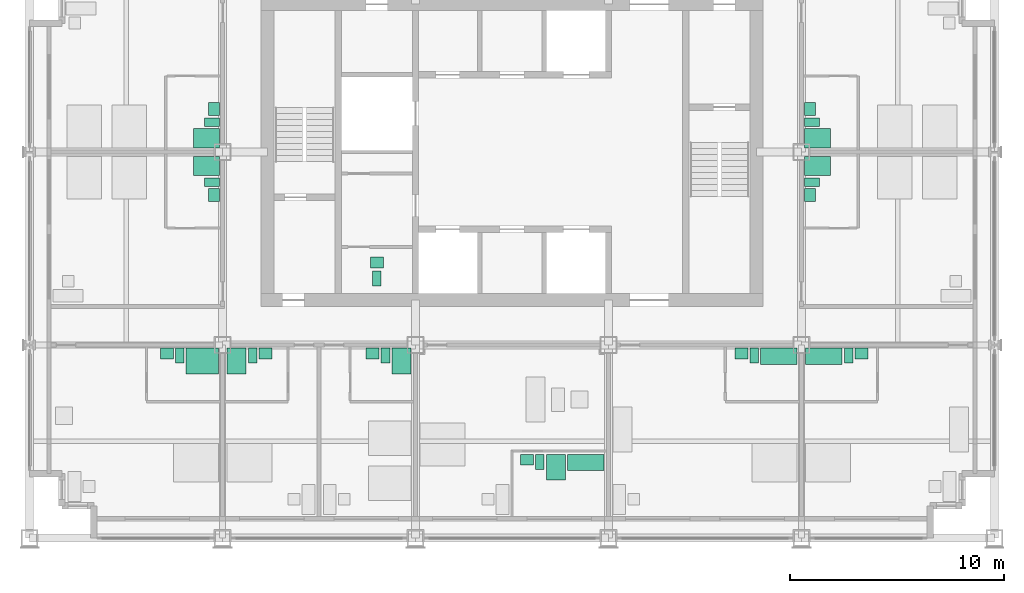
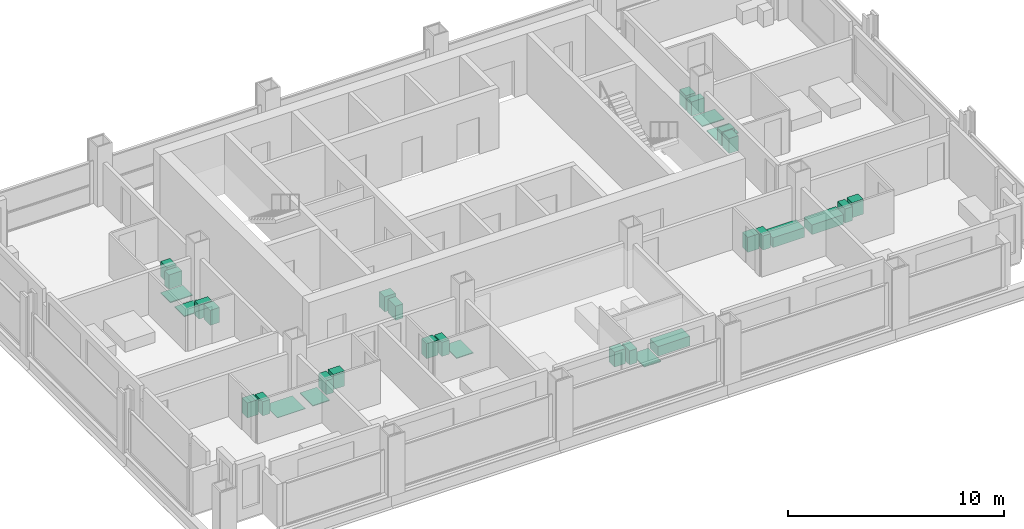
# One storey, part 12 of 13: 33 sanitary terminals.
"""IFC4 building model written with IfcOpenShell, lengths in metres."""

import ifcopenshell
import ifcopenshell.guid

model = None  # the IFC model being written
_history = None  # IfcOwnerHistory: only IFC2X3 demands one
_inside = {}  # id of a spatial element -> (the spatial element, [elements in it])
_under = {}  # id of a project, library or spatial element -> (it, [spatial elements below it])
_declared = {}  # id of a project -> (the project, [libraries it declares])
_typed = {}  # id of a type object -> (the type object, [elements of that type])
_made_of = {}  # id of a material, layer set ... -> (it, [elements and type objects made of it])


def new_model(schema):
    """Start an empty IFC model of exactly this schema.

    Asked for "IFC4X3", IfcOpenShell would pick the latest addendum, in which some entities
    have other attributes; the version numbers below select the first issue.
    IFC2X3 requires an IfcOwnerHistory on every rooted entity: one is made here for all.
    """
    global model, _history
    if schema == "IFC4X3":
        model = ifcopenshell.file(schema_version=(4, 3, 0, 0))
    else:
        model = ifcopenshell.file(schema=schema)
    _inside.clear()
    _under.clear()
    _declared.clear()
    _typed.clear()
    _made_of.clear()
    _history = None
    if model.schema == "IFC2X3":
        org = make("IfcOrganization", Name="unknown")
        user = make(
            "IfcPersonAndOrganization",
            ThePerson=make("IfcPerson", FamilyName="unknown"),
            TheOrganization=org,
        )
        app = make(
            "IfcApplication",
            ApplicationDeveloper=org,
            Version="unknown",
            ApplicationFullName="unknown",
            ApplicationIdentifier="unknown",
        )
        _history = make(
            "IfcOwnerHistory",
            OwningUser=user,
            OwningApplication=app,
            ChangeAction="ADDED",
            CreationDate=0,
        )
    return model


def make(cls, **values):
    """One entity of the class cls with the attributes given. An attribute that is None is left unset."""
    return model.create_entity(
        cls, **{name: value for name, value in values.items() if value is not None}
    )


def rooted(cls, **values):
    """An entity with a GlobalId (a new one), such as an element, a storey or a relation."""
    return make(cls, GlobalId=ifcopenshell.guid.new(), OwnerHistory=_history, **values)


def si_unit(unit_type, name, prefix=None):
    """IfcSIUnit, for example si_unit("LENGTHUNIT", "METRE", prefix="MILLI")."""
    return make("IfcSIUnit", UnitType=unit_type, Prefix=prefix, Name=name)


def assignment(units):
    """IfcUnitAssignment: the units of a project."""
    return None if units is None else make("IfcUnitAssignment", Units=units)


def point(xyz):
    """IfcCartesianPoint."""
    return None if xyz is None else make("IfcCartesianPoint", Coordinates=xyz)


def direction(xyz):
    """IfcDirection."""
    return None if xyz is None else make("IfcDirection", DirectionRatios=xyz)


def frame(location, z_axis=None, x_axis=None):
    """IfcAxis2Placement3D, a coordinate frame: its origin and axes. An axis left out is left unset."""
    return make(
        "IfcAxis2Placement3D",
        Location=point(location),
        Axis=direction(z_axis),
        RefDirection=direction(x_axis),
    )


def frame_2d(location, x_axis=None):
    """IfcAxis2Placement2D, a coordinate frame in the plane: its origin and x axis."""
    return make(
        "IfcAxis2Placement2D", Location=point(location), RefDirection=direction(x_axis)
    )


def origin():
    """The frame at (0, 0, 0) with its axes left unset."""
    return frame((0.0, 0.0, 0.0))


def origin_2d():
    """The frame at (0, 0) in the plane with its x axis left unset."""
    return frame_2d((0.0, 0.0))


def place(relative_to, where):
    """IfcLocalPlacement: puts the frame where relative to a parent placement (None: the world)."""
    return make(
        "IfcLocalPlacement", PlacementRelTo=relative_to, RelativePlacement=where
    )


def context(
    kind, dimensions, precision=None, world=None, true_north=None, identifier=None
):
    """IfcGeometricRepresentationContext, for example the 3D "Model" context."""
    return make(
        "IfcGeometricRepresentationContext",
        ContextIdentifier=identifier,
        ContextType=kind,
        CoordinateSpaceDimension=dimensions,
        Precision=precision,
        WorldCoordinateSystem=world,
        TrueNorth=true_north,
    )


def subcontext(parent, identifier, kind, view, scale=None):
    """IfcGeometricRepresentationSubContext, for example "Body" below "Model"."""
    return make(
        "IfcGeometricRepresentationSubContext",
        ContextIdentifier=identifier,
        ContextType=kind,
        ParentContext=parent,
        TargetScale=scale,
        TargetView=view,
    )


def project(units=None, contexts=None):
    """IfcProject with its units and contexts."""
    return rooted(
        "IfcProject",
        Name="project",
        RepresentationContexts=contexts,
        UnitsInContext=assignment(units),
    )


def spatial(cls, under=None, at=None, **own):
    """A site, building, storey or space (cls), placed at a placement, below another one or the project."""
    s = rooted(cls, ObjectPlacement=at, **own)
    if under is not None:
        _under.setdefault(under.id(), (under, []))[1].append(s)
    return s


def profile(cls, at=None, kind="AREA", **sizes):
    """A parametric profile (cls). Its sizes go by their IFC names, for example OverallWidth=200.0."""
    return make(cls, ProfileType=kind, Position=at, **sizes)


def rectangle(**sizes):
    """IfcRectangleProfileDef."""
    return profile("IfcRectangleProfileDef", **sizes)


def extrude(swept, where, along, depth):
    """IfcExtrudedAreaSolid: the profile swept, set in the frame where, extruded along a direction by depth."""
    return make(
        "IfcExtrudedAreaSolid",
        SweptArea=swept,
        Position=where,
        ExtrudedDirection=direction(along),
        Depth=depth,
    )


def shape(context_of_items, identifier, shape_type, items):
    """IfcShapeRepresentation: the items that make up one representation, for example the "Body"."""
    return make(
        "IfcShapeRepresentation",
        ContextOfItems=context_of_items,
        RepresentationIdentifier=identifier,
        RepresentationType=shape_type,
        Items=items,
    )


def made_of(thing, what):
    """Note that an element or type object is made of a material, layer set ...; save() writes the relation."""
    if what is not None:
        _made_of.setdefault(what.id(), (what, []))[1].append(thing)
    return thing


def element(
    cls,
    number,
    at=None,
    inside=None,
    cuts=None,
    type_object=None,
    material=None,
    context=None,
    identifier="Body",
    shape_type=None,
    held_by="IfcProductDefinitionShape",
    body=None,
    shapes=None,
    **own,
):
    """One element of the class cls, such as IfcWall. Its Tag is "e" and its number.

    at: its placement. inside: the storey or other place that contains it. cuts: it is an
    opening in that element (IfcRelVoidsElement). A single representation is given by context,
    identifier, shape_type and body (its items); several are given by shapes. held_by: the class
    of the entity that holds the representations. save() writes the other relations.
    """
    e = rooted(cls, Tag="e%d" % number, ObjectPlacement=at, **own)
    if body is not None:
        shapes = [shape(context, identifier, shape_type, body)]
    if shapes is not None:
        e.Representation = make(held_by, Representations=shapes)
    if inside is not None:
        _inside.setdefault(inside.id(), (inside, []))[1].append(e)
    if cuts is not None:
        rooted(
            "IfcRelVoidsElement", RelatingBuildingElement=cuts, RelatedOpeningElement=e
        )
    if type_object is not None:
        _typed.setdefault(type_object.id(), (type_object, []))[1].append(e)
    return made_of(e, material)


def aggregate(whole, parts):
    """IfcRelAggregates: a whole, such as a stair, and the parts it consists of."""
    return rooted("IfcRelAggregates", RelatingObject=whole, RelatedObjects=parts)


def save(model, path):
    """Write the relations noted so far, then the file.

    IfcRelAggregates (storeys below a building ...), IfcRelContainedInSpatialStructure (elements
    in a storey), IfcRelDefinesByType, IfcRelAssociatesMaterial and IfcRelDeclares: one each for
    every whole, place, type object, material and project.
    """
    for whole, parts in _under.values():
        aggregate(whole, parts)
    for where, things in _inside.values():
        rooted(
            "IfcRelContainedInSpatialStructure",
            RelatedElements=things,
            RelatingStructure=where,
        )
    for kind, things in _typed.values():
        rooted("IfcRelDefinesByType", RelatedObjects=things, RelatingType=kind)
    for what, things in _made_of.values():
        rooted("IfcRelAssociatesMaterial", RelatedObjects=things, RelatingMaterial=what)
    for by, libraries in _declared.values():
        rooted("IfcRelDeclares", RelatingContext=by, RelatedDefinitions=libraries)
    model.write(path)


model = new_model("IFC4")

# Units and contexts
model_context = context("Model", 3, precision=1e-05, world=origin(), true_north=direction((0.0, 1.0)))
body_context = subcontext(model_context, "Body", "Model", "MODEL_VIEW")
ifc_project = project(units=[si_unit("LENGTHUNIT", "METRE"), si_unit("AREAUNIT", "SQUARE_METRE"), si_unit("VOLUMEUNIT", "CUBIC_METRE"), si_unit("PLANEANGLEUNIT", "RADIAN"), si_unit("MASSUNIT", "GRAM", prefix="KILO")], contexts=[model_context])

# Site, building, storey
site_placement = place(None, origin())
site = spatial("IfcSite", under=ifc_project, at=site_placement, CompositionType="ELEMENT")
building_placement = place(site_placement, origin())
building = spatial("IfcBuilding", under=site, at=building_placement, Name="Loomwork Tower", CompositionType="ELEMENT")
storey_placement = place(building_placement, frame((0.0, 0.0, 184.199951171875)))
storey = spatial("IfcBuildingStorey", under=building, at=storey_placement, Name="L50", CompositionType="ELEMENT", Elevation=184.199951171875)

# Sanitary terminals
sanitary_terminal_1_placement = place(storey_placement, frame((8.050048828125, 8.25, 0.0), z_axis=(0.0, 0.0, 1.0), x_axis=(1.0, 0.0, 0.0)))
element("IfcSanitaryTerminal", 1, at=sanitary_terminal_1_placement, inside=storey, Name="Roll-in shower floor L50", PredefinedType="SHOWER", context=body_context, shape_type="SweptSolid", body=[
    extrude(rectangle(XDim=1.5, YDim=1.199951171875, at=origin_2d()), origin(), (0.0, 0.0, 1.0), 0.030029296875),
])
sanitary_terminal_2_placement = place(storey_placement, frame((7.0, 8.5, 0.0), z_axis=(0.0, 0.0, 1.0), x_axis=(1.0, 0.0, 0.0)))
element("IfcSanitaryTerminal", 2, at=sanitary_terminal_2_placement, inside=storey, Name="WC L50", PredefinedType="TOILETPAN", context=body_context, shape_type="SweptSolid", body=[
    extrude(rectangle(XDim=0.39990234375, YDim=0.699951171875, at=origin_2d()), origin(), (0.0, 0.0, 1.0), 0.800048828125),
])
sanitary_terminal_3_placement = place(storey_placement, frame((6.39990234375, 8.60009765625, 0.0), z_axis=(0.0, 0.0, 1.0), x_axis=(1.0, 0.0, 0.0)))
element("IfcSanitaryTerminal", 3, at=sanitary_terminal_3_placement, inside=storey, Name="Basin vanity L50", PredefinedType="WASHHANDBASIN", context=body_context, shape_type="SweptSolid", body=[
    extrude(rectangle(XDim=0.60009765625, YDim=0.5, at=origin_2d()), origin(), (0.0, 0.0, 1.0), 0.85009765625),
])
sanitary_terminal_4_placement = place(storey_placement, frame((9.64990234375, 8.25, 0.0), z_axis=(0.0, 0.0, 1.0), x_axis=(1.0, 0.0, 0.0)))
element("IfcSanitaryTerminal", 4, at=sanitary_terminal_4_placement, inside=storey, Name="Shower tray L50", PredefinedType="SHOWER", context=body_context, shape_type="SweptSolid", body=[
    extrude(rectangle(XDim=0.89990234375, YDim=1.199951171875, at=origin_2d()), origin(), (0.0, 0.0, 1.0), 0.050048828125),
])
sanitary_terminal_5_placement = place(storey_placement, frame((10.39990234375, 8.5, 0.0), z_axis=(0.0, 0.0, 1.0), x_axis=(1.0, 0.0, 0.0)))
element("IfcSanitaryTerminal", 5, at=sanitary_terminal_5_placement, inside=storey, Name="WC L50", PredefinedType="TOILETPAN", context=body_context, shape_type="SweptSolid", body=[
    extrude(rectangle(XDim=0.39990234375, YDim=0.699951171875, at=origin_2d()), origin(), (0.0, 0.0, 1.0), 0.800048828125),
])
sanitary_terminal_6_placement = place(storey_placement, frame((11.0, 8.60009765625, 0.0), z_axis=(0.0, 0.0, 1.0), x_axis=(1.0, 0.0, 0.0)))
element("IfcSanitaryTerminal", 6, at=sanitary_terminal_6_placement, inside=storey, Name="Basin vanity L50", PredefinedType="WASHHANDBASIN", context=body_context, shape_type="SweptSolid", body=[
    extrude(rectangle(XDim=0.60009765625, YDim=0.5, at=origin_2d()), origin(), (0.0, 0.0, 1.0), 0.85009765625),
])
sanitary_terminal_7_placement = place(storey_placement, frame((17.35009765625, 8.25, 0.0), z_axis=(0.0, 0.0, 1.0), x_axis=(1.0, 0.0, 0.0)))
element("IfcSanitaryTerminal", 7, at=sanitary_terminal_7_placement, inside=storey, Name="Shower tray L50", PredefinedType="SHOWER", context=body_context, shape_type="SweptSolid", body=[
    extrude(rectangle(XDim=0.89990234375, YDim=1.199951171875, at=origin_2d()), origin(), (0.0, 0.0, 1.0), 0.050048828125),
])
sanitary_terminal_8_placement = place(storey_placement, frame((16.60009765625, 8.5, 0.0), z_axis=(0.0, 0.0, 1.0), x_axis=(1.0, 0.0, 0.0)))
element("IfcSanitaryTerminal", 8, at=sanitary_terminal_8_placement, inside=storey, Name="WC L50", PredefinedType="TOILETPAN", context=body_context, shape_type="SweptSolid", body=[
    extrude(rectangle(XDim=0.39990234375, YDim=0.699951171875, at=origin_2d()), origin(), (0.0, 0.0, 1.0), 0.800048828125),
])
sanitary_terminal_9_placement = place(storey_placement, frame((16.0, 8.60009765625, 0.0), z_axis=(0.0, 0.0, 1.0), x_axis=(1.0, 0.0, 0.0)))
element("IfcSanitaryTerminal", 9, at=sanitary_terminal_9_placement, inside=storey, Name="Basin vanity L50", PredefinedType="WASHHANDBASIN", context=body_context, shape_type="SweptSolid", body=[
    extrude(rectangle(XDim=0.60009765625, YDim=0.5, at=origin_2d()), origin(), (0.0, 0.0, 1.0), 0.85009765625),
])
sanitary_terminal_10_placement = place(storey_placement, frame((25.949951171875, 3.52490234375, 0.0), z_axis=(0.0, 0.0, 1.0), x_axis=(1.0, 0.0, 0.0)))
element("IfcSanitaryTerminal", 10, at=sanitary_terminal_10_placement, inside=storey, Name="Bath L50", PredefinedType="BATH", context=body_context, shape_type="SweptSolid", body=[
    extrude(rectangle(XDim=1.699951171875, YDim=0.75, at=origin_2d()), origin(), (0.0, 0.0, 1.0), 0.550048828125),
])
sanitary_terminal_11_placement = place(storey_placement, frame((24.550048828125, 3.300048828125, 0.0), z_axis=(0.0, 0.0, 1.0), x_axis=(1.0, 0.0, 0.0)))
element("IfcSanitaryTerminal", 11, at=sanitary_terminal_11_placement, inside=storey, Name="Shower tray L50", PredefinedType="SHOWER", context=body_context, shape_type="SweptSolid", body=[
    extrude(rectangle(XDim=0.89990234375, YDim=1.199951171875, at=origin_2d()), origin(), (0.0, 0.0, 1.0), 0.050048828125),
])
sanitary_terminal_12_placement = place(storey_placement, frame((23.800048828125, 3.550048828125, 0.0), z_axis=(0.0, 0.0, 1.0), x_axis=(1.0, 0.0, 0.0)))
element("IfcSanitaryTerminal", 12, at=sanitary_terminal_12_placement, inside=storey, Name="WC L50", PredefinedType="TOILETPAN", context=body_context, shape_type="SweptSolid", body=[
    extrude(rectangle(XDim=0.39990234375, YDim=0.699951171875, at=origin_2d()), origin(), (0.0, 0.0, 1.0), 0.800048828125),
])
sanitary_terminal_13_placement = place(storey_placement, frame((23.199951171875, 3.64990234375, 0.0), z_axis=(0.0, 0.0, 1.0), x_axis=(1.0, 0.0, 0.0)))
element("IfcSanitaryTerminal", 13, at=sanitary_terminal_13_placement, inside=storey, Name="Basin vanity L50", PredefinedType="WASHHANDBASIN", context=body_context, shape_type="SweptSolid", body=[
    extrude(rectangle(XDim=0.60009765625, YDim=0.5, at=origin_2d()), origin(), (0.0, 0.0, 1.0), 0.85009765625),
])
sanitary_terminal_14_placement = place(storey_placement, frame((34.949951171875, 8.47509765625, 0.0), z_axis=(0.0, 0.0, 1.0), x_axis=(1.0, 0.0, 0.0)))
element("IfcSanitaryTerminal", 14, at=sanitary_terminal_14_placement, inside=storey, Name="Bath L50", PredefinedType="BATH", context=body_context, shape_type="SweptSolid", body=[
    extrude(rectangle(XDim=1.699951171875, YDim=0.75, at=origin_2d()), origin(), (0.0, 0.0, 1.0), 0.550048828125),
])
sanitary_terminal_15_placement = place(storey_placement, frame((33.800048828125, 8.5, 0.0), z_axis=(0.0, 0.0, 1.0), x_axis=(1.0, 0.0, 0.0)))
element("IfcSanitaryTerminal", 15, at=sanitary_terminal_15_placement, inside=storey, Name="WC L50", PredefinedType="TOILETPAN", context=body_context, shape_type="SweptSolid", body=[
    extrude(rectangle(XDim=0.39990234375, YDim=0.699951171875, at=origin_2d()), origin(), (0.0, 0.0, 1.0), 0.800048828125),
])
sanitary_terminal_16_placement = place(storey_placement, frame((33.199951171875, 8.60009765625, 0.0), z_axis=(0.0, 0.0, 1.0), x_axis=(1.0, 0.0, 0.0)))
element("IfcSanitaryTerminal", 16, at=sanitary_terminal_16_placement, inside=storey, Name="Basin vanity L50", PredefinedType="WASHHANDBASIN", context=body_context, shape_type="SweptSolid", body=[
    extrude(rectangle(XDim=0.60009765625, YDim=0.5, at=origin_2d()), origin(), (0.0, 0.0, 1.0), 0.85009765625),
])
sanitary_terminal_17_placement = place(storey_placement, frame((37.050048828125, 8.47509765625, 0.0), z_axis=(0.0, 0.0, 1.0), x_axis=(1.0, 0.0, 0.0)))
element("IfcSanitaryTerminal", 17, at=sanitary_terminal_17_placement, inside=storey, Name="Bath L50", PredefinedType="BATH", context=body_context, shape_type="SweptSolid", body=[
    extrude(rectangle(XDim=1.699951171875, YDim=0.75, at=origin_2d()), origin(), (0.0, 0.0, 1.0), 0.550048828125),
])
sanitary_terminal_18_placement = place(storey_placement, frame((38.199951171875, 8.5, 0.0), z_axis=(0.0, 0.0, 1.0), x_axis=(1.0, 0.0, 0.0)))
element("IfcSanitaryTerminal", 18, at=sanitary_terminal_18_placement, inside=storey, Name="WC L50", PredefinedType="TOILETPAN", context=body_context, shape_type="SweptSolid", body=[
    extrude(rectangle(XDim=0.39990234375, YDim=0.699951171875, at=origin_2d()), origin(), (0.0, 0.0, 1.0), 0.800048828125),
])
sanitary_terminal_19_placement = place(storey_placement, frame((38.800048828125, 8.60009765625, 0.0), z_axis=(0.0, 0.0, 1.0), x_axis=(1.0, 0.0, 0.0)))
element("IfcSanitaryTerminal", 19, at=sanitary_terminal_19_placement, inside=storey, Name="Basin vanity L50", PredefinedType="WASHHANDBASIN", context=body_context, shape_type="SweptSolid", body=[
    extrude(rectangle(XDim=0.60009765625, YDim=0.5, at=origin_2d()), origin(), (0.0, 0.0, 1.0), 0.85009765625),
])
sanitary_terminal_20_placement = place(storey_placement, frame((8.25, 17.35009765625, 0.0), z_axis=(0.0, 0.0, 1.0), x_axis=(1.0, 0.0, 0.0)))
element("IfcSanitaryTerminal", 20, at=sanitary_terminal_20_placement, inside=storey, Name="Shower tray L50", PredefinedType="SHOWER", context=body_context, shape_type="SweptSolid", body=[
    extrude(rectangle(XDim=1.199951171875, YDim=0.89990234375, at=origin_2d()), origin(), (0.0, 0.0, 1.0), 0.050048828125),
])
sanitary_terminal_21_placement = place(storey_placement, frame((8.5, 16.60009765625, 0.0), z_axis=(0.0, 0.0, 1.0), x_axis=(1.0, 0.0, 0.0)))
element("IfcSanitaryTerminal", 21, at=sanitary_terminal_21_placement, inside=storey, Name="WC L50", PredefinedType="TOILETPAN", context=body_context, shape_type="SweptSolid", body=[
    extrude(rectangle(XDim=0.699951171875, YDim=0.39990234375, at=origin_2d()), origin(), (0.0, 0.0, 1.0), 0.800048828125),
])
sanitary_terminal_22_placement = place(storey_placement, frame((8.60009765625, 16.0, 0.0), z_axis=(0.0, 0.0, 1.0), x_axis=(1.0, 0.0, 0.0)))
element("IfcSanitaryTerminal", 22, at=sanitary_terminal_22_placement, inside=storey, Name="Basin vanity L50", PredefinedType="WASHHANDBASIN", context=body_context, shape_type="SweptSolid", body=[
    extrude(rectangle(XDim=0.5, YDim=0.60009765625, at=origin_2d()), origin(), (0.0, 0.0, 1.0), 0.85009765625),
])
sanitary_terminal_23_placement = place(storey_placement, frame((8.25, 18.64990234375, 0.0), z_axis=(0.0, 0.0, 1.0), x_axis=(1.0, 0.0, 0.0)))
element("IfcSanitaryTerminal", 23, at=sanitary_terminal_23_placement, inside=storey, Name="Shower tray L50", PredefinedType="SHOWER", context=body_context, shape_type="SweptSolid", body=[
    extrude(rectangle(XDim=1.199951171875, YDim=0.89990234375, at=origin_2d()), origin(), (0.0, 0.0, 1.0), 0.050048828125),
])
sanitary_terminal_24_placement = place(storey_placement, frame((8.5, 19.39990234375, 0.0), z_axis=(0.0, 0.0, 1.0), x_axis=(1.0, 0.0, 0.0)))
element("IfcSanitaryTerminal", 24, at=sanitary_terminal_24_placement, inside=storey, Name="WC L50", PredefinedType="TOILETPAN", context=body_context, shape_type="SweptSolid", body=[
    extrude(rectangle(XDim=0.699951171875, YDim=0.39990234375, at=origin_2d()), origin(), (0.0, 0.0, 1.0), 0.800048828125),
])
sanitary_terminal_25_placement = place(storey_placement, frame((8.60009765625, 20.0, 0.0), z_axis=(0.0, 0.0, 1.0), x_axis=(1.0, 0.0, 0.0)))
element("IfcSanitaryTerminal", 25, at=sanitary_terminal_25_placement, inside=storey, Name="Basin vanity L50", PredefinedType="WASHHANDBASIN", context=body_context, shape_type="SweptSolid", body=[
    extrude(rectangle(XDim=0.5, YDim=0.60009765625, at=origin_2d()), origin(), (0.0, 0.0, 1.0), 0.85009765625),
])
sanitary_terminal_26_placement = place(storey_placement, frame((36.75, 17.35009765625, 0.0), z_axis=(0.0, 0.0, 1.0), x_axis=(1.0, 0.0, 0.0)))
element("IfcSanitaryTerminal", 26, at=sanitary_terminal_26_placement, inside=storey, Name="Shower tray L50", PredefinedType="SHOWER", context=body_context, shape_type="SweptSolid", body=[
    extrude(rectangle(XDim=1.199951171875, YDim=0.89990234375, at=origin_2d()), origin(), (0.0, 0.0, 1.0), 0.050048828125),
])
sanitary_terminal_27_placement = place(storey_placement, frame((36.5, 16.60009765625, 0.0), z_axis=(0.0, 0.0, 1.0), x_axis=(1.0, 0.0, 0.0)))
element("IfcSanitaryTerminal", 27, at=sanitary_terminal_27_placement, inside=storey, Name="WC L50", PredefinedType="TOILETPAN", context=body_context, shape_type="SweptSolid", body=[
    extrude(rectangle(XDim=0.699951171875, YDim=0.39990234375, at=origin_2d()), origin(), (0.0, 0.0, 1.0), 0.800048828125),
])
sanitary_terminal_28_placement = place(storey_placement, frame((36.39990234375, 16.0, 0.0), z_axis=(0.0, 0.0, 1.0), x_axis=(1.0, 0.0, 0.0)))
element("IfcSanitaryTerminal", 28, at=sanitary_terminal_28_placement, inside=storey, Name="Basin vanity L50", PredefinedType="WASHHANDBASIN", context=body_context, shape_type="SweptSolid", body=[
    extrude(rectangle(XDim=0.5, YDim=0.60009765625, at=origin_2d()), origin(), (0.0, 0.0, 1.0), 0.85009765625),
])
sanitary_terminal_29_placement = place(storey_placement, frame((36.75, 18.64990234375, 0.0), z_axis=(0.0, 0.0, 1.0), x_axis=(1.0, 0.0, 0.0)))
element("IfcSanitaryTerminal", 29, at=sanitary_terminal_29_placement, inside=storey, Name="Shower tray L50", PredefinedType="SHOWER", context=body_context, shape_type="SweptSolid", body=[
    extrude(rectangle(XDim=1.199951171875, YDim=0.89990234375, at=origin_2d()), origin(), (0.0, 0.0, 1.0), 0.050048828125),
])
sanitary_terminal_30_placement = place(storey_placement, frame((36.5, 19.39990234375, 0.0), z_axis=(0.0, 0.0, 1.0), x_axis=(1.0, 0.0, 0.0)))
element("IfcSanitaryTerminal", 30, at=sanitary_terminal_30_placement, inside=storey, Name="WC L50", PredefinedType="TOILETPAN", context=body_context, shape_type="SweptSolid", body=[
    extrude(rectangle(XDim=0.699951171875, YDim=0.39990234375, at=origin_2d()), origin(), (0.0, 0.0, 1.0), 0.800048828125),
])
sanitary_terminal_31_placement = place(storey_placement, frame((36.39990234375, 20.0, 0.0), z_axis=(0.0, 0.0, 1.0), x_axis=(1.0, 0.0, 0.0)))
element("IfcSanitaryTerminal", 31, at=sanitary_terminal_31_placement, inside=storey, Name="Basin vanity L50", PredefinedType="WASHHANDBASIN", context=body_context, shape_type="SweptSolid", body=[
    extrude(rectangle(XDim=0.5, YDim=0.60009765625, at=origin_2d()), origin(), (0.0, 0.0, 1.0), 0.85009765625),
])
sanitary_terminal_32_placement = place(storey_placement, frame((16.199951171875, 12.10009765625, 0.0), z_axis=(0.0, 0.0, 1.0), x_axis=(1.0, 0.0, 0.0)))
element("IfcSanitaryTerminal", 32, at=sanitary_terminal_32_placement, inside=storey, Name="WC L50", PredefinedType="TOILETPAN", context=body_context, shape_type="SweptSolid", body=[
    extrude(rectangle(XDim=0.39990234375, YDim=0.699951171875, at=origin_2d()), origin(), (0.0, 0.0, 1.0), 0.800048828125),
])
sanitary_terminal_33_placement = place(storey_placement, frame((16.199951171875, 12.85009765625, 0.0), z_axis=(0.0, 0.0, 1.0), x_axis=(1.0, 0.0, 0.0)))
element("IfcSanitaryTerminal", 33, at=sanitary_terminal_33_placement, inside=storey, Name="Basin L50", PredefinedType="WASHHANDBASIN", context=body_context, shape_type="SweptSolid", body=[
    extrude(rectangle(XDim=0.60009765625, YDim=0.5, at=origin_2d()), origin(), (0.0, 0.0, 1.0), 0.85009765625),
])

save(model, "model.ifc")
